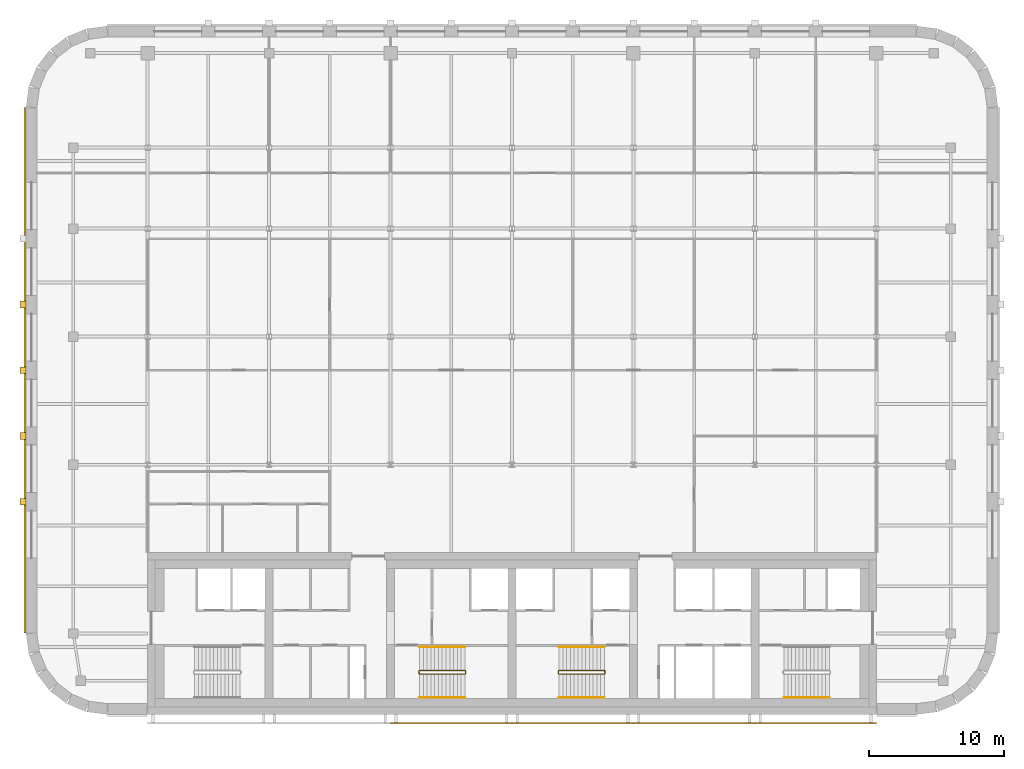
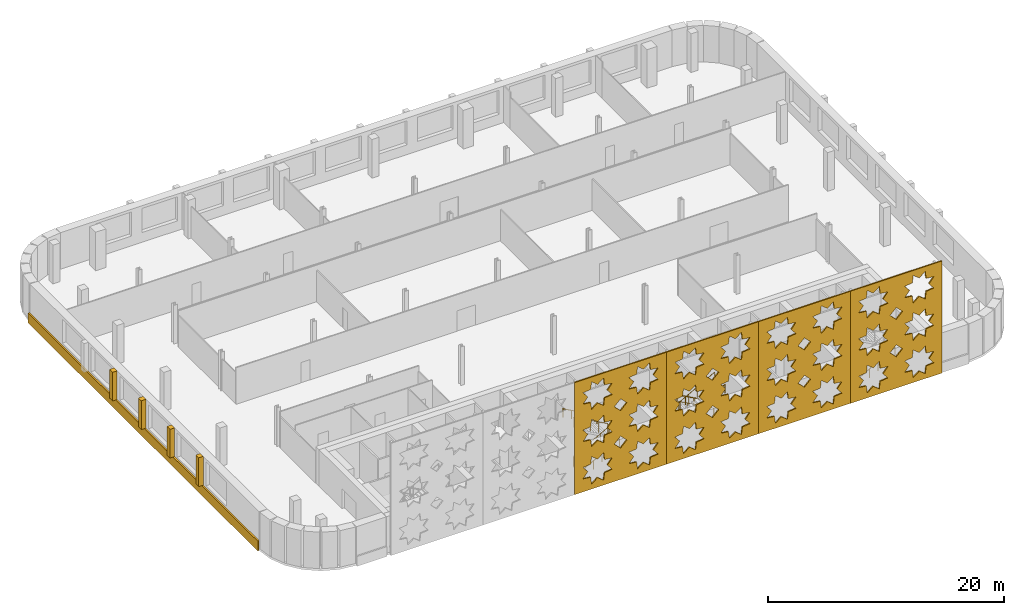
# One storey, part 13 of 15: 9 coverings, 7 railings.
"""IFC4 building model written with IfcOpenShell, lengths in metres."""

from ifc_helpers import new_model, si_unit, direction, frame, origin, origin_2d, place, context, subcontext, project, spatial, polyline, circle, outline, extrude, material, layer, layer_set, type_object, element, save


model = new_model("IFC4")

# Units and contexts
model_context = context("Model", 3, precision=1e-05, world=origin(), true_north=direction((0.0, 1.0)))
body_context = subcontext(model_context, "Body", "Model", "MODEL_VIEW")
ifc_project = project(units=[si_unit("LENGTHUNIT", "METRE"), si_unit("AREAUNIT", "SQUARE_METRE"), si_unit("VOLUMEUNIT", "CUBIC_METRE"), si_unit("PLANEANGLEUNIT", "RADIAN"), si_unit("MASSUNIT", "GRAM", prefix="KILO")], contexts=[model_context])

# Site, building, storey
site_placement = place(None, origin())
site = spatial("IfcSite", under=ifc_project, at=site_placement, CompositionType="ELEMENT")
building_placement = place(site_placement, origin())
building = spatial("IfcBuilding", under=site, at=building_placement, Name="Zellij Exchange Tower", CompositionType="ELEMENT")
storey_placement = place(building_placement, frame((0.0, 0.0, 276.5)))
storey = spatial("IfcBuildingStorey", under=building, at=storey_placement, Name="L65", CompositionType="ELEMENT", Elevation=276.5)

# Railings
ifc_material_1 = material(Name="Stainless steel", Category="steel")
railing_type_1 = type_object("IfcRailingType", Name="CORE-RG stair guard", PredefinedType="GUARDRAIL", material=ifc_material_1)
railing_1_placement = place(storey_placement, frame((-6.89990234375, -10.949951171875, 0.0)))
element("IfcRailing", 1, at=railing_1_placement, inside=storey, type_object=railing_type_1, Name="ST2 stair guard L65", PredefinedType="GUARDRAIL", context=body_context, shape_type="SweptSolid", body=[
    extrude(circle(Radius=0.02392578125, at=origin_2d()), frame((0.0, 0.0, 1.076171875), z_axis=(0.0, 1.0, 0.0), x_axis=(-1.0, 0.0, 0.0)), (0.0, 0.0, 1.0), 0.14990234375),
    extrude(circle(Radius=0.02392578125, at=origin_2d()), frame((0.0, 0.14990234375, 1.076171875), z_axis=(0.193691321961, -0.777613689637, 0.598164376644), x_axis=(0.970351222016, 0.241699205484, 0.0)), (0.0, 0.0, 1.0), 0.257080078125),
    extrude(circle(Radius=0.02392578125, at=origin_2d()), frame((0.0498046875, -0.050048828125, 1.22998046875), z_axis=(0.876421534553, 0.0, 0.481544695509), x_axis=(0.0, 1.0, 0.0)), (0.0, 0.0, 1.0), 3.833984375),
    extrude(circle(Radius=0.02392578125, at=origin_2d()), frame((3.409912109375, -0.050048828125, 3.076171875), z_axis=(0.707106781187, 0.707106781187, 0.0), x_axis=(-0.707106781187, 0.707106781187, 0.0)), (0.0, 0.0, 1.0), 0.07080078125),
    extrude(circle(Radius=0.02392578125, at=origin_2d()), frame((3.4599609375, 0.0, 3.076171875), z_axis=(0.0, 1.0, 0.0), x_axis=(-1.0, 0.0, 0.0)), (0.0, 0.0, 1.0), 0.14990234375),
    extrude(circle(Radius=0.02392578125, at=origin_2d()), frame((3.4599609375, 0.14990234375, 3.076171875), z_axis=(-0.295599637079, 0.295599637079, 0.908428152975), x_axis=(-0.707106781187, -0.707106781187, 0.0)), (0.0, 0.0, 1.0), 0.16943359375),
    extrude(circle(Radius=0.02392578125, at=origin_2d()), frame((3.409912109375, 0.199951171875, 3.22998046875), z_axis=(-0.876421534553, 0.0, 0.481544695509), x_axis=(0.0, -1.0, 0.0)), (0.0, 0.0, 1.0), 3.833984375),
    extrude(circle(Radius=0.02099609375, at=origin_2d()), origin(), (0.0, 0.0, 1.0), 1.052001953125),
    extrude(circle(Radius=0.02099609375, at=origin_2d()), frame((0.0, 0.14990234375, 0.0)), (0.0, 0.0, 1.0), 1.052001953125),
    extrude(circle(Radius=0.02099609375, at=origin_2d()), frame((0.0498046875, -0.050048828125, 0.15380859375)), (0.0, 0.0, 1.0), 1.052001953125),
    extrude(circle(Radius=0.02099609375, at=origin_2d()), frame((0.889892578125, -0.050048828125, 0.615234375)), (0.0, 0.0, 1.0), 1.052001953125),
    extrude(circle(Radius=0.02099609375, at=origin_2d()), frame((1.72998046875, -0.050048828125, 1.076904296875)), (0.0, 0.0, 1.0), 1.052001953125),
    extrude(circle(Radius=0.02099609375, at=origin_2d()), frame((2.56982421875, -0.050048828125, 1.53857421875)), (0.0, 0.0, 1.0), 1.052001953125),
    extrude(circle(Radius=0.02099609375, at=origin_2d()), frame((3.409912109375, -0.050048828125, 2.0)), (0.0, 0.0, 1.0), 1.052001953125),
    extrude(circle(Radius=0.02099609375, at=origin_2d()), frame((3.4599609375, 0.0, 2.0)), (0.0, 0.0, 1.0), 1.052001953125),
    extrude(circle(Radius=0.02099609375, at=origin_2d()), frame((3.4599609375, 0.14990234375, 2.0)), (0.0, 0.0, 1.0), 1.052001953125),
    extrude(circle(Radius=0.02099609375, at=origin_2d()), frame((3.409912109375, 0.199951171875, 2.15380859375)), (0.0, 0.0, 1.0), 1.052001953125),
    extrude(circle(Radius=0.02099609375, at=origin_2d()), frame((2.56982421875, 0.199951171875, 2.615234375)), (0.0, 0.0, 1.0), 1.052001953125),
    extrude(circle(Radius=0.02099609375, at=origin_2d()), frame((1.72998046875, 0.199951171875, 3.076904296875)), (0.0, 0.0, 1.0), 1.052001953125),
    extrude(circle(Radius=0.02099609375, at=origin_2d()), frame((0.889892578125, 0.199951171875, 3.53857421875)), (0.0, 0.0, 1.0), 1.052001953125),
    extrude(circle(Radius=0.02099609375, at=origin_2d()), frame((0.0498046875, 0.199951171875, 4.0)), (0.0, 0.0, 1.0), 1.052001953125),
])
railing_2_placement = place(storey_placement, frame((6.89990234375, -10.800048828125, 0.0)))
element("IfcRailing", 2, at=railing_2_placement, inside=storey, type_object=railing_type_1, Name="ST3 stair guard L65", PredefinedType="GUARDRAIL", context=body_context, shape_type="SweptSolid", body=[
    extrude(circle(Radius=0.02392578125, at=origin_2d()), frame((0.0, 0.0, 1.076171875), z_axis=(0.0, -1.0, 0.0), x_axis=(1.0, 0.0, 0.0)), (0.0, 0.0, 1.0), 0.14990234375),
    extrude(circle(Radius=0.02392578125, at=origin_2d()), frame((0.0, -0.14990234375, 1.076171875), z_axis=(-0.193691321961, 0.777613689637, 0.598164376644), x_axis=(-0.970351222016, -0.241699205484, 0.0)), (0.0, 0.0, 1.0), 0.257080078125),
    extrude(circle(Radius=0.02392578125, at=origin_2d()), frame((-0.0498046875, 0.050048828125, 1.22998046875), z_axis=(-0.876421534553, 0.0, 0.481544695509), x_axis=(0.0, -1.0, 0.0)), (0.0, 0.0, 1.0), 3.833984375),
    extrude(circle(Radius=0.02392578125, at=origin_2d()), frame((-3.409912109375, 0.050048828125, 3.076171875), z_axis=(-0.707106781187, -0.707106781187, 0.0), x_axis=(0.707106781187, -0.707106781187, 0.0)), (0.0, 0.0, 1.0), 0.07080078125),
    extrude(circle(Radius=0.02392578125, at=origin_2d()), frame((-3.4599609375, 0.0, 3.076171875), z_axis=(0.0, -1.0, 0.0), x_axis=(1.0, 0.0, 0.0)), (0.0, 0.0, 1.0), 0.14990234375),
    extrude(circle(Radius=0.02392578125, at=origin_2d()), frame((-3.4599609375, -0.14990234375, 3.076171875), z_axis=(0.295599637079, -0.295599637079, 0.908428152975), x_axis=(0.707106781187, 0.707106781187, 0.0)), (0.0, 0.0, 1.0), 0.16943359375),
    extrude(circle(Radius=0.02392578125, at=origin_2d()), frame((-3.409912109375, -0.199951171875, 3.22998046875), z_axis=(0.876421534553, 0.0, 0.481544695509), x_axis=(0.0, 1.0, 0.0)), (0.0, 0.0, 1.0), 3.833984375),
    extrude(circle(Radius=0.02099609375, at=origin_2d()), origin(), (0.0, 0.0, 1.0), 1.052001953125),
    extrude(circle(Radius=0.02099609375, at=origin_2d()), frame((0.0, -0.14990234375, 0.0)), (0.0, 0.0, 1.0), 1.052001953125),
    extrude(circle(Radius=0.02099609375, at=origin_2d()), frame((-0.0498046875, 0.050048828125, 0.15380859375)), (0.0, 0.0, 1.0), 1.052001953125),
    extrude(circle(Radius=0.02099609375, at=origin_2d()), frame((-0.889892578125, 0.050048828125, 0.615234375)), (0.0, 0.0, 1.0), 1.052001953125),
    extrude(circle(Radius=0.02099609375, at=origin_2d()), frame((-1.72998046875, 0.050048828125, 1.076904296875)), (0.0, 0.0, 1.0), 1.052001953125),
    extrude(circle(Radius=0.02099609375, at=origin_2d()), frame((-2.56982421875, 0.050048828125, 1.53857421875)), (0.0, 0.0, 1.0), 1.052001953125),
    extrude(circle(Radius=0.02099609375, at=origin_2d()), frame((-3.409912109375, 0.050048828125, 2.0)), (0.0, 0.0, 1.0), 1.052001953125),
    extrude(circle(Radius=0.02099609375, at=origin_2d()), frame((-3.4599609375, 0.0, 2.0)), (0.0, 0.0, 1.0), 1.052001953125),
    extrude(circle(Radius=0.02099609375, at=origin_2d()), frame((-3.4599609375, -0.14990234375, 2.0)), (0.0, 0.0, 1.0), 1.052001953125),
    extrude(circle(Radius=0.02099609375, at=origin_2d()), frame((-3.409912109375, -0.199951171875, 2.15380859375)), (0.0, 0.0, 1.0), 1.052001953125),
    extrude(circle(Radius=0.02099609375, at=origin_2d()), frame((-2.56982421875, -0.199951171875, 2.615234375)), (0.0, 0.0, 1.0), 1.052001953125),
    extrude(circle(Radius=0.02099609375, at=origin_2d()), frame((-1.72998046875, -0.199951171875, 3.076904296875)), (0.0, 0.0, 1.0), 1.052001953125),
    extrude(circle(Radius=0.02099609375, at=origin_2d()), frame((-0.889892578125, -0.199951171875, 3.53857421875)), (0.0, 0.0, 1.0), 1.052001953125),
    extrude(circle(Radius=0.02099609375, at=origin_2d()), frame((-0.0498046875, -0.199951171875, 4.0)), (0.0, 0.0, 1.0), 1.052001953125),
])
railing_type_2 = type_object("IfcRailingType", Name="CORE-RH stair handrail", PredefinedType="HANDRAIL", material=ifc_material_1)
railing_3_placement = place(storey_placement, frame((-6.85009765625, -12.75, 0.15380859375)))
element("IfcRailing", 3, at=railing_3_placement, inside=storey, type_object=railing_type_2, Name="ST2 stair handrail L65", PredefinedType="HANDRAIL", context=body_context, shape_type="SweptSolid", body=[
    extrude(circle(Radius=0.02392578125, at=origin_2d()), frame((0.0, 0.0, 0.8759765625), z_axis=(0.876421534553, 0.0, 0.481544695509), x_axis=(0.0, 1.0, 0.0)), (0.0, 0.0, 1.0), 3.833984375),
    extrude(circle(Radius=0.02099609375, at=origin_2d()), origin(), (0.0, 0.0, 1.0), 0.851806640625),
    extrude(circle(Radius=0.02099609375, at=origin_2d()), frame((0.840087890625, 0.0, 0.46142578125)), (0.0, 0.0, 1.0), 0.851806640625),
    extrude(circle(Radius=0.02099609375, at=origin_2d()), frame((1.68017578125, 0.0, 0.923095703125)), (0.0, 0.0, 1.0), 0.851806640625),
    extrude(circle(Radius=0.02099609375, at=origin_2d()), frame((2.52001953125, 0.0, 1.384765625)), (0.0, 0.0, 1.0), 0.851806640625),
    extrude(circle(Radius=0.02099609375, at=origin_2d()), frame((3.360107421875, 0.0, 1.84619140625)), (0.0, 0.0, 1.0), 0.851806640625),
])
for number, where, name in (
    (4, (-3.489990234375, -9.0, 2.15380859375), "ST2 stair handrail L65"),
    (5, (6.85009765625, -9.0, 0.15380859375), "ST3 stair handrail L65"),
):
    element("IfcRailing", number, at=place(storey_placement, frame(where)), inside=storey, type_object=railing_type_2, Name=name, PredefinedType="HANDRAIL", context=body_context, shape_type="SweptSolid", body=[
        extrude(circle(Radius=0.02392578125, at=origin_2d()), frame((0.0, 0.0, 0.8759765625), z_axis=(-0.876421534553, 0.0, 0.481544695509), x_axis=(0.0, -1.0, 0.0)), (0.0, 0.0, 1.0), 3.833984375),
        extrude(circle(Radius=0.02099609375, at=origin_2d()), origin(), (0.0, 0.0, 1.0), 0.851806640625),
        extrude(circle(Radius=0.02099609375, at=origin_2d()), frame((-0.840087890625, 0.0, 0.46142578125)), (0.0, 0.0, 1.0), 0.851806640625),
        extrude(circle(Radius=0.02099609375, at=origin_2d()), frame((-1.68017578125, 0.0, 0.923095703125)), (0.0, 0.0, 1.0), 0.851806640625),
        extrude(circle(Radius=0.02099609375, at=origin_2d()), frame((-2.52001953125, 0.0, 1.384765625)), (0.0, 0.0, 1.0), 0.851806640625),
        extrude(circle(Radius=0.02099609375, at=origin_2d()), frame((-3.360107421875, 0.0, 1.84619140625)), (0.0, 0.0, 1.0), 0.851806640625),
    ])
for number, where, name in (
    (6, (3.489990234375, -12.75, 2.15380859375), "ST3 stair handrail L65"),
    (7, (20.14990234375, -12.75, 0.15380859375), "ST4 stair handrail L65"),
):
    element("IfcRailing", number, at=place(storey_placement, frame(where)), inside=storey, type_object=railing_type_2, Name=name, PredefinedType="HANDRAIL", context=body_context, shape_type="SweptSolid", body=[
        extrude(circle(Radius=0.02392578125, at=origin_2d()), frame((0.0, 0.0, 0.8759765625), z_axis=(0.876421534553, 0.0, 0.481544695509), x_axis=(0.0, 1.0, 0.0)), (0.0, 0.0, 1.0), 3.833984375),
        extrude(circle(Radius=0.02099609375, at=origin_2d()), origin(), (0.0, 0.0, 1.0), 0.851806640625),
        extrude(circle(Radius=0.02099609375, at=origin_2d()), frame((0.840087890625, 0.0, 0.46142578125)), (0.0, 0.0, 1.0), 0.851806640625),
        extrude(circle(Radius=0.02099609375, at=origin_2d()), frame((1.68017578125, 0.0, 0.923095703125)), (0.0, 0.0, 1.0), 0.851806640625),
        extrude(circle(Radius=0.02099609375, at=origin_2d()), frame((2.52001953125, 0.0, 1.384765625)), (0.0, 0.0, 1.0), 0.851806640625),
        extrude(circle(Radius=0.02099609375, at=origin_2d()), frame((3.360107421875, 0.0, 1.84619140625)), (0.0, 0.0, 1.0), 0.851806640625),
    ])

# Coverings
ifc_material_2 = material(Name="Limestone cladding", Category="masonry")
ifc_layer_1 = layer(ifc_material_2, 0.14990234375)
ifc_layer_set_1 = layer_set([ifc_layer_1], Name="Limestone cladding")
covering_type_1 = type_object("IfcCoveringType", Name="ENV-CV1 Stone spandrel band 150", PredefinedType="CLADDING", material=ifc_layer_set_1)
covering_1_placement = place(storey_placement, frame((0.0, 0.0, -0.219970703125)))
element("IfcCovering", 8, at=covering_1_placement, inside=storey, type_object=covering_type_1, Name="Stone spandrel band", PredefinedType="CLADDING", context=body_context, shape_type="SweptSolid", body=[
    extrude(outline(polyline([(-36.0, 30.973876953125), (-36.0, -7.973876953125), (-36.14990234375, -7.983642578125), (-36.14990234375, 30.983642578125), (-36.0, 30.973876953125)])), origin(), (0.0, 0.0, 1.0), 1.02001953125),
])
covering_type_2 = type_object("IfcCoveringType", Name="ENV-CV4 Stone pier 500x450", PredefinedType="CLADDING", material=ifc_material_2)
covering_2_placement = place(storey_placement, frame((0.0, 0.0, 0.800048828125)))
element("IfcCovering", 9, at=covering_2_placement, inside=storey, type_object=covering_type_2, Name="Stone pier", PredefinedType="CLADDING", context=body_context, shape_type="SweptSolid", body=[
    extrude(outline(polyline([(-36.0, 16.618408203125), (-36.0, 16.118408203125), (-36.449951171875, 16.118408203125), (-36.449951171875, 16.618408203125), (-36.0, 16.618408203125)])), origin(), (0.0, 0.0, 1.0), 2.97998046875),
])
covering_3_placement = place(storey_placement, frame((0.0, 0.0, 0.800048828125)))
element("IfcCovering", 10, at=covering_3_placement, inside=storey, type_object=covering_type_2, Name="Stone pier", PredefinedType="CLADDING", context=body_context, shape_type="SweptSolid", body=[
    extrude(outline(polyline([(-36.0, 11.75), (-36.0, 11.25), (-36.449951171875, 11.25), (-36.449951171875, 11.75), (-36.0, 11.75)])), origin(), (0.0, 0.0, 1.0), 2.97998046875),
])
covering_4_placement = place(storey_placement, frame((0.0, 0.0, 0.800048828125)))
element("IfcCovering", 11, at=covering_4_placement, inside=storey, type_object=covering_type_2, Name="Stone pier", PredefinedType="CLADDING", context=body_context, shape_type="SweptSolid", body=[
    extrude(outline(polyline([(-36.0, 6.881591796875), (-36.0, 6.381591796875), (-36.449951171875, 6.381591796875), (-36.449951171875, 6.881591796875), (-36.0, 6.881591796875)])), origin(), (0.0, 0.0, 1.0), 2.97998046875),
])
covering_5_placement = place(storey_placement, frame((0.0, 0.0, 0.800048828125)))
element("IfcCovering", 12, at=covering_5_placement, inside=storey, type_object=covering_type_2, Name="Stone pier", PredefinedType="CLADDING", context=body_context, shape_type="SweptSolid", body=[
    extrude(outline(polyline([(-36.0, 2.01318359375), (-36.0, 1.51318359375), (-36.449951171875, 1.51318359375), (-36.449951171875, 2.01318359375), (-36.0, 2.01318359375)])), origin(), (0.0, 0.0, 1.0), 2.97998046875),
])
ifc_material_3 = material(Name="Limestone screen", Category="masonry")
ifc_layer_2 = layer(ifc_material_3, 0.1201171875)
ifc_layer_set_2 = layer_set([ifc_layer_2], Name="Limestone screen")
covering_type_3 = type_object("IfcCoveringType", Name="ENV-SC5 Pierced stone relief 120", PredefinedType="USERDEFINED", material=ifc_layer_set_2)
covering_6_placement = place(storey_placement, frame((-9.0, -14.659912109375, 0.199951171875), z_axis=(0.0, 0.0, 1.0), x_axis=(1.0, 0.0, 0.0)))
element("IfcCovering", 13, at=covering_6_placement, inside=storey, type_object=covering_type_3, Name="Pierced stone relief", ObjectType="SCREEN", PredefinedType="USERDEFINED", context=body_context, shape_type="SweptSolid", body=[
    extrude(outline(polyline([(0.0, 0.0), (9.0, 0.0), (9.0, 11.60009765625), (0.0, 11.60009765625), (0.0, 0.0)]), holes=[polyline([(3.678955078125, 2.525146484375), (2.927978515625, 2.611328125), (2.841796875, 3.3623046875), (2.25, 2.892333984375), (1.658203125, 3.3623046875), (1.572021484375, 2.611328125), (0.821044921875, 2.525146484375), (1.291015625, 1.933349609375), (0.821044921875, 1.34130859375), (1.572021484375, 1.25537109375), (1.658203125, 0.50439453125), (2.25, 0.974365234375), (2.841796875, 0.50439453125), (2.927978515625, 1.25537109375), (3.678955078125, 1.34130859375), (3.208984375, 1.933349609375), (3.678955078125, 2.525146484375)]), polyline([(3.678955078125, 6.391845703125), (2.927978515625, 6.47802734375), (2.841796875, 7.22900390625), (2.25, 6.7587890625), (1.658203125, 7.22900390625), (1.572021484375, 6.47802734375), (0.821044921875, 6.391845703125), (1.291015625, 5.800048828125), (0.821044921875, 5.2080078125), (1.572021484375, 5.121826171875), (1.658203125, 4.37109375), (2.25, 4.841064453125), (2.841796875, 4.37109375), (2.927978515625, 5.121826171875), (3.678955078125, 5.2080078125), (3.208984375, 5.800048828125), (3.678955078125, 6.391845703125)]), polyline([(3.678955078125, 10.258544921875), (2.927978515625, 10.3447265625), (2.841796875, 11.095703125), (2.25, 10.62548828125), (1.658203125, 11.095703125), (1.572021484375, 10.3447265625), (0.821044921875, 10.258544921875), (1.291015625, 9.666748046875), (0.821044921875, 9.07470703125), (1.572021484375, 8.988525390625), (1.658203125, 8.23779296875), (2.25, 8.707763671875), (2.841796875, 8.23779296875), (2.927978515625, 8.988525390625), (3.678955078125, 9.07470703125), (3.208984375, 9.666748046875), (3.678955078125, 10.258544921875)]), polyline([(8.178955078125, 2.525146484375), (7.427978515625, 2.611328125), (7.341796875, 3.3623046875), (6.75, 2.892333984375), (6.158203125, 3.3623046875), (6.072021484375, 2.611328125), (5.321044921875, 2.525146484375), (5.791015625, 1.933349609375), (5.321044921875, 1.34130859375), (6.072021484375, 1.25537109375), (6.158203125, 0.50439453125), (6.75, 0.974365234375), (7.341796875, 0.50439453125), (7.427978515625, 1.25537109375), (8.178955078125, 1.34130859375), (7.708984375, 1.933349609375), (8.178955078125, 2.525146484375)]), polyline([(8.178955078125, 6.391845703125), (7.427978515625, 6.47802734375), (7.341796875, 7.22900390625), (6.75, 6.7587890625), (6.158203125, 7.22900390625), (6.072021484375, 6.47802734375), (5.321044921875, 6.391845703125), (5.791015625, 5.800048828125), (5.321044921875, 5.2080078125), (6.072021484375, 5.121826171875), (6.158203125, 4.37109375), (6.75, 4.841064453125), (7.341796875, 4.37109375), (7.427978515625, 5.121826171875), (8.178955078125, 5.2080078125), (7.708984375, 5.800048828125), (8.178955078125, 6.391845703125)]), polyline([(8.178955078125, 10.258544921875), (7.427978515625, 10.3447265625), (7.341796875, 11.095703125), (6.75, 10.62548828125), (6.158203125, 11.095703125), (6.072021484375, 10.3447265625), (5.321044921875, 10.258544921875), (5.791015625, 9.666748046875), (5.321044921875, 9.07470703125), (6.072021484375, 8.988525390625), (6.158203125, 8.23779296875), (6.75, 8.707763671875), (7.341796875, 8.23779296875), (7.427978515625, 8.988525390625), (8.178955078125, 9.07470703125), (7.708984375, 9.666748046875), (8.178955078125, 10.258544921875)]), polyline([(5.11865234375, 3.86669921875), (4.5, 4.4853515625), (3.88134765625, 3.86669921875), (4.5, 3.248046875), (5.11865234375, 3.86669921875)]), polyline([(5.11865234375, 7.7333984375), (4.5, 8.35205078125), (3.88134765625, 7.7333984375), (4.5, 7.11474609375), (5.11865234375, 7.7333984375)])]), frame((0.0, 0.06005859375, 0.0), z_axis=(0.0, -1.0, 0.0), x_axis=(1.0, 0.0, 0.0)), (0.0, 0.0, 1.0), 0.1201171875),
])
covering_7_placement = place(storey_placement, frame((0.0, -14.659912109375, 0.199951171875), z_axis=(0.0, 0.0, 1.0), x_axis=(1.0, 0.0, 0.0)))
element("IfcCovering", 14, at=covering_7_placement, inside=storey, type_object=covering_type_3, Name="Pierced stone relief", ObjectType="SCREEN", PredefinedType="USERDEFINED", context=body_context, shape_type="SweptSolid", body=[
    extrude(outline(polyline([(0.0, 0.0), (9.0, 0.0), (9.0, 11.60009765625), (0.0, 11.60009765625), (0.0, 0.0)]), holes=[polyline([(3.678955078125, 2.525146484375), (2.927978515625, 2.611328125), (2.841796875, 3.3623046875), (2.25, 2.892333984375), (1.658203125, 3.3623046875), (1.572021484375, 2.611328125), (0.821044921875, 2.525146484375), (1.291015625, 1.933349609375), (0.821044921875, 1.34130859375), (1.572021484375, 1.25537109375), (1.658203125, 0.50439453125), (2.25, 0.974365234375), (2.841796875, 0.50439453125), (2.927978515625, 1.25537109375), (3.678955078125, 1.34130859375), (3.208984375, 1.933349609375), (3.678955078125, 2.525146484375)]), polyline([(3.678955078125, 6.391845703125), (2.927978515625, 6.47802734375), (2.841796875, 7.22900390625), (2.25, 6.7587890625), (1.658203125, 7.22900390625), (1.572021484375, 6.47802734375), (0.821044921875, 6.391845703125), (1.291015625, 5.800048828125), (0.821044921875, 5.2080078125), (1.572021484375, 5.121826171875), (1.658203125, 4.37109375), (2.25, 4.841064453125), (2.841796875, 4.37109375), (2.927978515625, 5.121826171875), (3.678955078125, 5.2080078125), (3.208984375, 5.800048828125), (3.678955078125, 6.391845703125)]), polyline([(3.678955078125, 10.258544921875), (2.927978515625, 10.3447265625), (2.841796875, 11.095703125), (2.25, 10.62548828125), (1.658203125, 11.095703125), (1.572021484375, 10.3447265625), (0.821044921875, 10.258544921875), (1.291015625, 9.666748046875), (0.821044921875, 9.07470703125), (1.572021484375, 8.988525390625), (1.658203125, 8.23779296875), (2.25, 8.707763671875), (2.841796875, 8.23779296875), (2.927978515625, 8.988525390625), (3.678955078125, 9.07470703125), (3.208984375, 9.666748046875), (3.678955078125, 10.258544921875)]), polyline([(8.178955078125, 2.525146484375), (7.427978515625, 2.611328125), (7.341796875, 3.3623046875), (6.75, 2.892333984375), (6.158203125, 3.3623046875), (6.072021484375, 2.611328125), (5.321044921875, 2.525146484375), (5.791015625, 1.933349609375), (5.321044921875, 1.34130859375), (6.072021484375, 1.25537109375), (6.158203125, 0.50439453125), (6.75, 0.974365234375), (7.341796875, 0.50439453125), (7.427978515625, 1.25537109375), (8.178955078125, 1.34130859375), (7.708984375, 1.933349609375), (8.178955078125, 2.525146484375)]), polyline([(8.178955078125, 6.391845703125), (7.427978515625, 6.47802734375), (7.341796875, 7.22900390625), (6.75, 6.7587890625), (6.158203125, 7.22900390625), (6.072021484375, 6.47802734375), (5.321044921875, 6.391845703125), (5.791015625, 5.800048828125), (5.321044921875, 5.2080078125), (6.072021484375, 5.121826171875), (6.158203125, 4.37109375), (6.75, 4.841064453125), (7.341796875, 4.37109375), (7.427978515625, 5.121826171875), (8.178955078125, 5.2080078125), (7.708984375, 5.800048828125), (8.178955078125, 6.391845703125)]), polyline([(8.178955078125, 10.258544921875), (7.427978515625, 10.3447265625), (7.341796875, 11.095703125), (6.75, 10.62548828125), (6.158203125, 11.095703125), (6.072021484375, 10.3447265625), (5.321044921875, 10.258544921875), (5.791015625, 9.666748046875), (5.321044921875, 9.07470703125), (6.072021484375, 8.988525390625), (6.158203125, 8.23779296875), (6.75, 8.707763671875), (7.341796875, 8.23779296875), (7.427978515625, 8.988525390625), (8.178955078125, 9.07470703125), (7.708984375, 9.666748046875), (8.178955078125, 10.258544921875)]), polyline([(5.11865234375, 3.86669921875), (4.5, 4.4853515625), (3.88134765625, 3.86669921875), (4.5, 3.248046875), (5.11865234375, 3.86669921875)]), polyline([(5.11865234375, 7.7333984375), (4.5, 8.35205078125), (3.88134765625, 7.7333984375), (4.5, 7.11474609375), (5.11865234375, 7.7333984375)])]), frame((0.0, 0.06005859375, 0.0), z_axis=(0.0, -1.0, 0.0), x_axis=(1.0, 0.0, 0.0)), (0.0, 0.0, 1.0), 0.1201171875),
])
covering_8_placement = place(storey_placement, frame((9.0, -14.659912109375, 0.199951171875), z_axis=(0.0, 0.0, 1.0), x_axis=(1.0, 0.0, 0.0)))
element("IfcCovering", 15, at=covering_8_placement, inside=storey, type_object=covering_type_3, Name="Pierced stone relief", ObjectType="SCREEN", PredefinedType="USERDEFINED", context=body_context, shape_type="SweptSolid", body=[
    extrude(outline(polyline([(0.0, 0.0), (9.0, 0.0), (9.0, 11.60009765625), (0.0, 11.60009765625), (0.0, 0.0)]), holes=[polyline([(3.678955078125, 2.525146484375), (2.927978515625, 2.611328125), (2.841796875, 3.3623046875), (2.25, 2.892333984375), (1.658203125, 3.3623046875), (1.572021484375, 2.611328125), (0.821044921875, 2.525146484375), (1.291015625, 1.933349609375), (0.821044921875, 1.34130859375), (1.572021484375, 1.25537109375), (1.658203125, 0.50439453125), (2.25, 0.974365234375), (2.841796875, 0.50439453125), (2.927978515625, 1.25537109375), (3.678955078125, 1.34130859375), (3.208984375, 1.933349609375), (3.678955078125, 2.525146484375)]), polyline([(3.678955078125, 6.391845703125), (2.927978515625, 6.47802734375), (2.841796875, 7.22900390625), (2.25, 6.7587890625), (1.658203125, 7.22900390625), (1.572021484375, 6.47802734375), (0.821044921875, 6.391845703125), (1.291015625, 5.800048828125), (0.821044921875, 5.2080078125), (1.572021484375, 5.121826171875), (1.658203125, 4.37109375), (2.25, 4.841064453125), (2.841796875, 4.37109375), (2.927978515625, 5.121826171875), (3.678955078125, 5.2080078125), (3.208984375, 5.800048828125), (3.678955078125, 6.391845703125)]), polyline([(3.678955078125, 10.258544921875), (2.927978515625, 10.3447265625), (2.841796875, 11.095703125), (2.25, 10.62548828125), (1.658203125, 11.095703125), (1.572021484375, 10.3447265625), (0.821044921875, 10.258544921875), (1.291015625, 9.666748046875), (0.821044921875, 9.07470703125), (1.572021484375, 8.988525390625), (1.658203125, 8.23779296875), (2.25, 8.707763671875), (2.841796875, 8.23779296875), (2.927978515625, 8.988525390625), (3.678955078125, 9.07470703125), (3.208984375, 9.666748046875), (3.678955078125, 10.258544921875)]), polyline([(8.178955078125, 2.525146484375), (7.427978515625, 2.611328125), (7.341796875, 3.3623046875), (6.75, 2.892333984375), (6.158203125, 3.3623046875), (6.072021484375, 2.611328125), (5.321044921875, 2.525146484375), (5.791015625, 1.933349609375), (5.321044921875, 1.34130859375), (6.072021484375, 1.25537109375), (6.158203125, 0.50439453125), (6.75, 0.974365234375), (7.341796875, 0.50439453125), (7.427978515625, 1.25537109375), (8.178955078125, 1.34130859375), (7.708984375, 1.933349609375), (8.178955078125, 2.525146484375)]), polyline([(8.178955078125, 6.391845703125), (7.427978515625, 6.47802734375), (7.341796875, 7.22900390625), (6.75, 6.7587890625), (6.158203125, 7.22900390625), (6.072021484375, 6.47802734375), (5.321044921875, 6.391845703125), (5.791015625, 5.800048828125), (5.321044921875, 5.2080078125), (6.072021484375, 5.121826171875), (6.158203125, 4.37109375), (6.75, 4.841064453125), (7.341796875, 4.37109375), (7.427978515625, 5.121826171875), (8.178955078125, 5.2080078125), (7.708984375, 5.800048828125), (8.178955078125, 6.391845703125)]), polyline([(8.178955078125, 10.258544921875), (7.427978515625, 10.3447265625), (7.341796875, 11.095703125), (6.75, 10.62548828125), (6.158203125, 11.095703125), (6.072021484375, 10.3447265625), (5.321044921875, 10.258544921875), (5.791015625, 9.666748046875), (5.321044921875, 9.07470703125), (6.072021484375, 8.988525390625), (6.158203125, 8.23779296875), (6.75, 8.707763671875), (7.341796875, 8.23779296875), (7.427978515625, 8.988525390625), (8.178955078125, 9.07470703125), (7.708984375, 9.666748046875), (8.178955078125, 10.258544921875)]), polyline([(5.11865234375, 3.86669921875), (4.5, 4.4853515625), (3.88134765625, 3.86669921875), (4.5, 3.248046875), (5.11865234375, 3.86669921875)]), polyline([(5.11865234375, 7.7333984375), (4.5, 8.35205078125), (3.88134765625, 7.7333984375), (4.5, 7.11474609375), (5.11865234375, 7.7333984375)])]), frame((0.0, 0.06005859375, 0.0), z_axis=(0.0, -1.0, 0.0), x_axis=(1.0, 0.0, 0.0)), (0.0, 0.0, 1.0), 0.1201171875),
])
covering_9_placement = place(storey_placement, frame((18.0, -14.659912109375, 0.199951171875), z_axis=(0.0, 0.0, 1.0), x_axis=(1.0, 0.0, 0.0)))
element("IfcCovering", 16, at=covering_9_placement, inside=storey, type_object=covering_type_3, Name="Pierced stone relief", ObjectType="SCREEN", PredefinedType="USERDEFINED", context=body_context, shape_type="SweptSolid", body=[
    extrude(outline(polyline([(0.0, 0.0), (9.0, 0.0), (9.0, 11.60009765625), (0.0, 11.60009765625), (0.0, 0.0)]), holes=[polyline([(3.678955078125, 2.525146484375), (2.927978515625, 2.611328125), (2.841796875, 3.3623046875), (2.25, 2.892333984375), (1.658203125, 3.3623046875), (1.572021484375, 2.611328125), (0.821044921875, 2.525146484375), (1.291015625, 1.933349609375), (0.821044921875, 1.34130859375), (1.572021484375, 1.25537109375), (1.658203125, 0.50439453125), (2.25, 0.974365234375), (2.841796875, 0.50439453125), (2.927978515625, 1.25537109375), (3.678955078125, 1.34130859375), (3.208984375, 1.933349609375), (3.678955078125, 2.525146484375)]), polyline([(3.678955078125, 6.391845703125), (2.927978515625, 6.47802734375), (2.841796875, 7.22900390625), (2.25, 6.7587890625), (1.658203125, 7.22900390625), (1.572021484375, 6.47802734375), (0.821044921875, 6.391845703125), (1.291015625, 5.800048828125), (0.821044921875, 5.2080078125), (1.572021484375, 5.121826171875), (1.658203125, 4.37109375), (2.25, 4.841064453125), (2.841796875, 4.37109375), (2.927978515625, 5.121826171875), (3.678955078125, 5.2080078125), (3.208984375, 5.800048828125), (3.678955078125, 6.391845703125)]), polyline([(3.678955078125, 10.258544921875), (2.927978515625, 10.3447265625), (2.841796875, 11.095703125), (2.25, 10.62548828125), (1.658203125, 11.095703125), (1.572021484375, 10.3447265625), (0.821044921875, 10.258544921875), (1.291015625, 9.666748046875), (0.821044921875, 9.07470703125), (1.572021484375, 8.988525390625), (1.658203125, 8.23779296875), (2.25, 8.707763671875), (2.841796875, 8.23779296875), (2.927978515625, 8.988525390625), (3.678955078125, 9.07470703125), (3.208984375, 9.666748046875), (3.678955078125, 10.258544921875)]), polyline([(8.178955078125, 2.525146484375), (7.427978515625, 2.611328125), (7.341796875, 3.3623046875), (6.75, 2.892333984375), (6.158203125, 3.3623046875), (6.072021484375, 2.611328125), (5.321044921875, 2.525146484375), (5.791015625, 1.933349609375), (5.321044921875, 1.34130859375), (6.072021484375, 1.25537109375), (6.158203125, 0.50439453125), (6.75, 0.974365234375), (7.341796875, 0.50439453125), (7.427978515625, 1.25537109375), (8.178955078125, 1.34130859375), (7.708984375, 1.933349609375), (8.178955078125, 2.525146484375)]), polyline([(8.178955078125, 6.391845703125), (7.427978515625, 6.47802734375), (7.341796875, 7.22900390625), (6.75, 6.7587890625), (6.158203125, 7.22900390625), (6.072021484375, 6.47802734375), (5.321044921875, 6.391845703125), (5.791015625, 5.800048828125), (5.321044921875, 5.2080078125), (6.072021484375, 5.121826171875), (6.158203125, 4.37109375), (6.75, 4.841064453125), (7.341796875, 4.37109375), (7.427978515625, 5.121826171875), (8.178955078125, 5.2080078125), (7.708984375, 5.800048828125), (8.178955078125, 6.391845703125)]), polyline([(8.178955078125, 10.258544921875), (7.427978515625, 10.3447265625), (7.341796875, 11.095703125), (6.75, 10.62548828125), (6.158203125, 11.095703125), (6.072021484375, 10.3447265625), (5.321044921875, 10.258544921875), (5.791015625, 9.666748046875), (5.321044921875, 9.07470703125), (6.072021484375, 8.988525390625), (6.158203125, 8.23779296875), (6.75, 8.707763671875), (7.341796875, 8.23779296875), (7.427978515625, 8.988525390625), (8.178955078125, 9.07470703125), (7.708984375, 9.666748046875), (8.178955078125, 10.258544921875)]), polyline([(5.11865234375, 3.86669921875), (4.5, 4.4853515625), (3.88134765625, 3.86669921875), (4.5, 3.248046875), (5.11865234375, 3.86669921875)]), polyline([(5.11865234375, 7.7333984375), (4.5, 8.35205078125), (3.88134765625, 7.7333984375), (4.5, 7.11474609375), (5.11865234375, 7.7333984375)])]), frame((0.0, 0.06005859375, 0.0), z_axis=(0.0, -1.0, 0.0), x_axis=(1.0, 0.0, 0.0)), (0.0, 0.0, 1.0), 0.1201171875),
])

save(model, "model.ifc")
